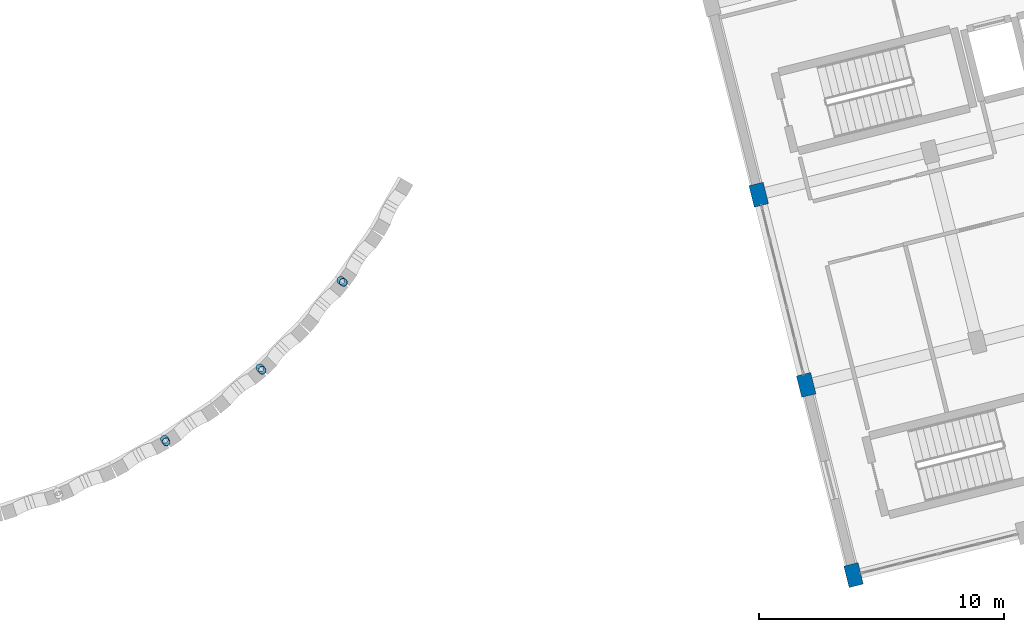
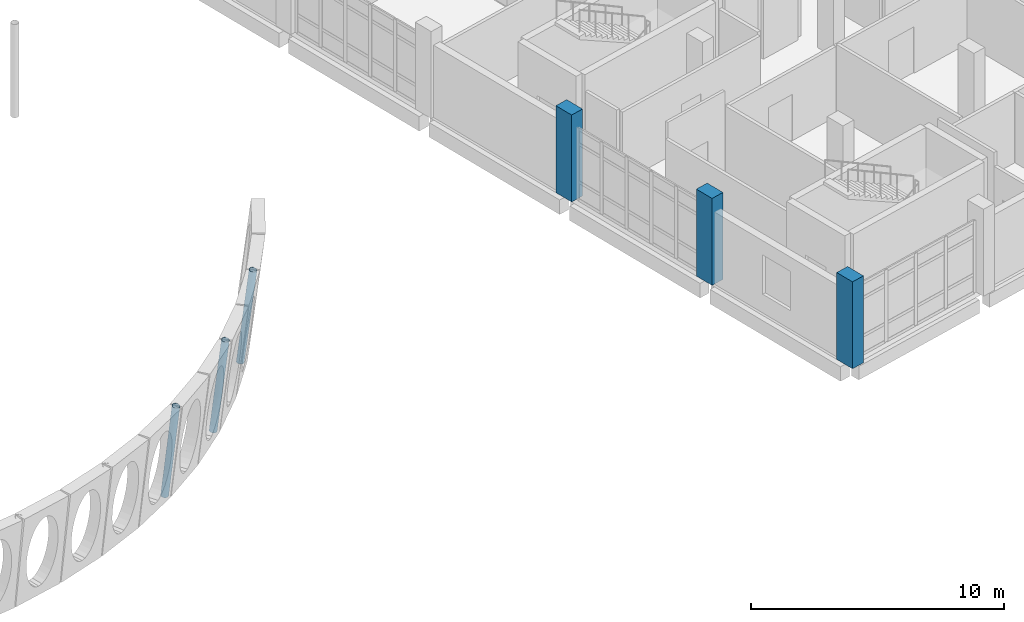
# One storey, part 7 of 164: 6 columns.
"""IFC4 building model written with IfcOpenShell, lengths in metres."""

from ifc_helpers import new_model, si_unit, direction, frame, origin, origin_2d, place, context, subcontext, project, spatial, rectangle, hollow_circle, extrude, material, material_profile, profile_set, type_object, element, save


model = new_model("IFC4")

# Units and contexts
model_context = context("Model", 3, precision=1e-05, world=origin(), true_north=direction((0.0, 1.0)))
body_context = subcontext(model_context, "Body", "Model", "MODEL_VIEW")
ifc_project = project(units=[si_unit("LENGTHUNIT", "METRE"), si_unit("AREAUNIT", "SQUARE_METRE"), si_unit("VOLUMEUNIT", "CUBIC_METRE"), si_unit("PLANEANGLEUNIT", "RADIAN"), si_unit("MASSUNIT", "GRAM", prefix="KILO")], contexts=[model_context])

# Site, building, storey
site_placement = place(None, origin())
site = spatial("IfcSite", under=ifc_project, at=site_placement, CompositionType="ELEMENT")
building_placement = place(site_placement, origin())
building = spatial("IfcBuilding", under=site, at=building_placement, Name="Mawjan Specialist Oncology Clinic", CompositionType="ELEMENT")
storey_placement = place(building_placement, frame((0.0, 0.0, 5.0)))
storey = spatial("IfcBuildingStorey", under=building, at=storey_placement, Name="L01", CompositionType="ELEMENT", Elevation=5.0)

# Columns
ifc_material_1 = material(Name="Concrete C45/55", Category="concrete")
ifc_material_profile_1 = material_profile(ifc_material_1, rectangle(XDim=0.60009765625, YDim=0.89990234375, at=origin_2d()), Name="RC COL 600x900", Category="concrete")
ifc_profile_set_1 = profile_set([ifc_material_profile_1], Name="Concrete C45/55")
column_type_1 = type_object("IfcColumnType", Name="C-600x900", PredefinedType="COLUMN", material=ifc_profile_set_1)
for number, where, z_axis, x_axis, name in (
    (1, (126.0, 0.800048828125, 0.0), (0.0, 0.0, 1.0), (0.970295726276, 0.2419218956, 0.0), "L01 Column R-RA-R1"),
    (2, (124.064697265625, 8.562255859375, 0.0), (0.0, 0.0, 1.0), (0.970295726276, 0.2419218956, 0.0), "L01 Column R-RA-R2"),
    (3, (122.129150390625, 16.32470703125, 0.0), (0.0, 0.0, 1.0), (0.970295726276, 0.2419218956, 0.0), "L01 Column R-RA-R3"),
):
    element("IfcColumn", number, at=place(storey_placement, frame(where, z_axis=z_axis, x_axis=x_axis)), inside=storey, type_object=column_type_1, Name=name, PredefinedType="COLUMN", context=body_context, shape_type="SweptSolid", body=[
        extrude(rectangle(XDim=0.60009765625, YDim=0.89990234375, at=origin_2d()), origin(), (0.0, 0.0, 1.0), 4.199951171875),
    ])
ifc_material_2 = material(Name="Structural steel S355", Category="steel")
ifc_material_profile_2 = material_profile(ifc_material_2, hollow_circle(Radius=0.161865234375, WallThickness=0.011962890625, at=origin_2d()), Name="CHS 323.9x12", Category="steel")
ifc_profile_set_2 = profile_set([ifc_material_profile_2], Name="Structural steel S355")
column_type_2 = type_object("IfcColumnType", Name="SC-CHS324", PredefinedType="COLUMN", material=ifc_profile_set_2)
for number, where, z_axis, x_axis, name in (
    (4, (97.882568359375, 6.345703125, 0.0), (0.059133409625, -0.09654324215, 0.993570652878), (0.852751763946, 0.522316407063, 0.0), "Stone-Arc Restraint Pier 9 L01"),
    (5, (101.778564453125, 9.2548828125, 0.0), (0.075736082084, -0.084145212906, 0.993571149448), (0.743270469805, 0.668991037845, 0.0), "Stone-Arc Restraint Pier 10 L01"),
    (6, (105.0791015625, 12.825439453125, 0.0), (0.089805119867, -0.068944026597, 0.99357020972), (0.608951174895, 0.793207707095, 0.0), "Stone-Arc Restraint Pier 11 L01"),
):
    element("IfcColumn", number, at=place(storey_placement, frame(where, z_axis=z_axis, x_axis=x_axis)), inside=storey, type_object=column_type_2, Name=name, PredefinedType="COLUMN", context=body_context, shape_type="SweptSolid", body=[
        extrude(hollow_circle(Radius=0.161865234375, WallThickness=0.011962890625, at=origin_2d()), origin(), (0.0, 0.0, 1.0), 4.529052734375),
    ])

save(model, "model.ifc")
